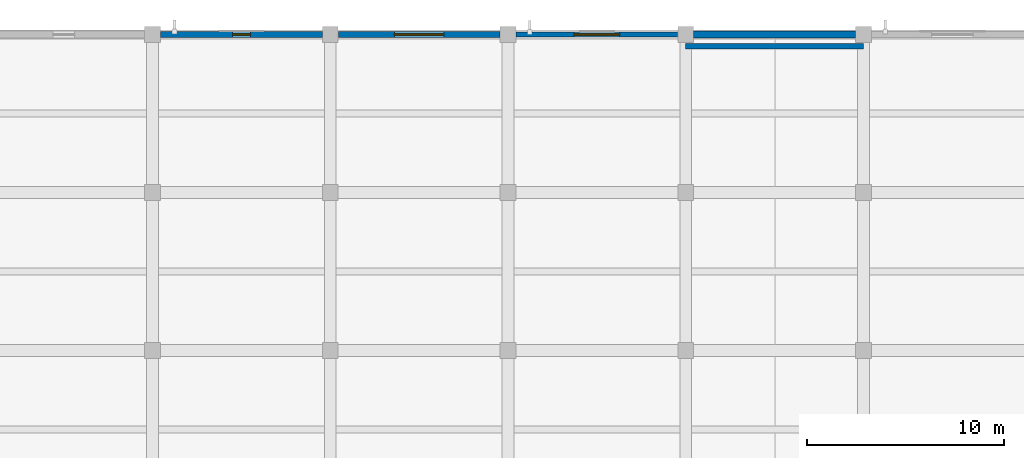
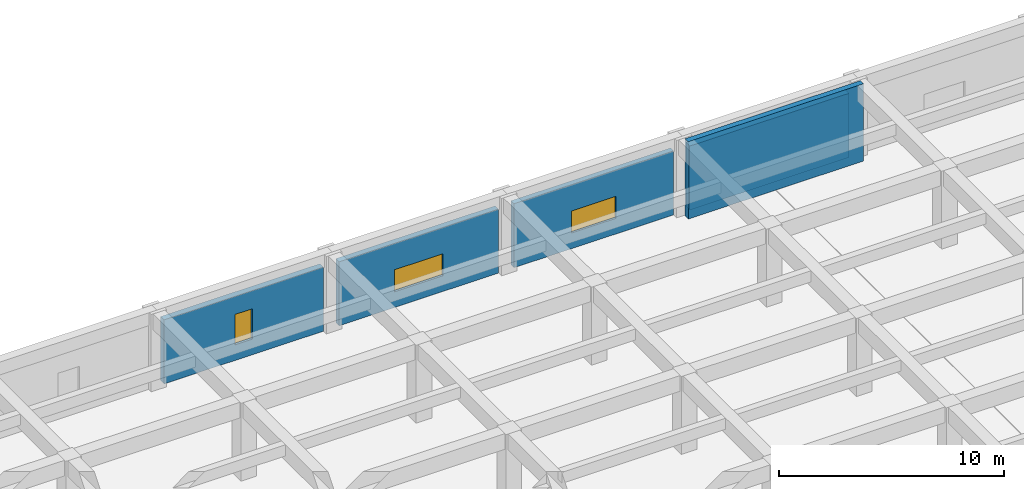
# One storey, part 16 of 32: 5 walls, 3 windows, 3 openings.
"""IFC4 building model written with IfcOpenShell, lengths in metres."""

from ifc_helpers import new_model, si_unit, direction, frame, frame_2d, origin, place, context, subcontext, project, spatial, rectangle, extrude, material, layer, layer_set, type_object, element, fill, save


model = new_model("IFC4")

# Units and contexts
model_context = context("Model", 3, precision=1e-05, world=origin(), true_north=direction((0.0, 1.0)))
body_context = subcontext(model_context, "Body", "Model", "MODEL_VIEW")
ifc_project = project(units=[si_unit("LENGTHUNIT", "METRE"), si_unit("AREAUNIT", "SQUARE_METRE"), si_unit("VOLUMEUNIT", "CUBIC_METRE"), si_unit("PLANEANGLEUNIT", "RADIAN"), si_unit("MASSUNIT", "GRAM", prefix="KILO")], contexts=[model_context])

# Site, building, storey
site_placement = place(None, origin())
site = spatial("IfcSite", under=ifc_project, at=site_placement, CompositionType="ELEMENT")
building_placement = place(site_placement, origin())
building = spatial("IfcBuilding", under=site, at=building_placement, Name="Zaverband Oceanarium and Marine Research Institute", CompositionType="ELEMENT")
storey_placement = place(building_placement, frame((0.0, 0.0, 13.5)))
storey = spatial("IfcBuildingStorey", under=building, at=storey_placement, Name="L03", CompositionType="ELEMENT", Elevation=13.5)

# Wall, opening, window
ifc_material_1 = material(Name="Concrete C40/50 precast", Category="concrete")
ifc_layer_1 = layer(ifc_material_1, 0.264892578125, Name="Concrete C40/50 precast")
ifc_layer_set_1 = layer_set([ifc_layer_1], Name="Concrete C40/50 precast")
wall_type_1 = type_object("IfcWallType", Name="EW-265", PredefinedType="STANDARD", material=ifc_layer_set_1)
wall_1_placement = place(storey_placement, frame((108.405029296875, 120.0, 0.0), z_axis=(0.0, 0.0, 1.0), x_axis=(1.0, 0.0, 0.0)))
wall_1 = element("IfcWall", 1, at=wall_1_placement, inside=storey, type_object=wall_type_1, Name="Exterior infill wall EW-265", PredefinedType="STANDARD", context=body_context, shape_type="SweptSolid", body=[
    extrude(rectangle(XDim=8.18994140625, YDim=0.264892578125, at=frame_2d((4.094970703125, 0.0))), origin(), (0.0, 0.0, 1.0), 3.47998046875),
])
opening_1_placement = place(wall_1_placement, frame((2.945068359375, 0.0, 0.85009765625)))
opening_1 = element("IfcOpeningElement", 2, at=opening_1_placement, cuts=wall_1, Name="Opening WN-2300x1200", PredefinedType="OPENING", context=body_context, shape_type="SweptSolid", body=[
    extrude(rectangle(XDim=2.300048828125, YDim=1.199951171875, at=frame_2d((1.14990234375, 0.60009765625))), frame((0.0, 0.14453125, 0.0), z_axis=(0.0, -1.0, 0.0), x_axis=(1.0, 0.0, 0.0)), (0.0, 0.0, 1.0), 0.288818359375),
])
ifc_material_2 = material(Name="Thermally broken anodized aluminium and solar-control glass", Category="aluminium")
window_type_1 = type_object("IfcWindowType", Name="WN-2300x1200", PartitioningType="SINGLE_PANEL", PredefinedType="WINDOW", material=ifc_material_2)
window_1_placement = place(opening_1_placement, origin())
window_1 = element("IfcWindow", 3, at=window_1_placement, inside=storey, type_object=window_type_1, Name="Fixed / casement exterior window WN-2300x1200", OverallHeight=1.199951171875, OverallWidth=2.300048828125, PartitioningType="SINGLE_PANEL", PredefinedType="WINDOW", context=body_context, shape_type="SweptSolid", body=[
    extrude(rectangle(XDim=2.300048828125, YDim=1.199951171875, at=frame_2d((1.14990234375, 0.60009765625))), frame((0.0, 0.030029296875, 0.0), z_axis=(0.0, -1.0, 0.0), x_axis=(1.0, 0.0, 0.0)), (0.0, 0.0, 1.0), 0.06005859375),
])
fill(opening_1, window_1)

ifc_layer_2 = layer(ifc_material_1, 0.2900390625, Name="Concrete C40/50 precast")
ifc_layer_set_2 = layer_set([ifc_layer_2], Name="Concrete C40/50 precast")
wall_type_2 = type_object("IfcWallType", Name="EW-290", PredefinedType="STANDARD", material=ifc_layer_set_2)
wall_2_placement = place(storey_placement, frame((99.405029296875, 120.0, 0.0), z_axis=(0.0, 0.0, 1.0), x_axis=(1.0, 0.0, 0.0)))
wall_2 = element("IfcWall", 4, at=wall_2_placement, inside=storey, type_object=wall_type_2, Name="Exterior infill wall EW-290", PredefinedType="STANDARD", context=body_context, shape_type="SweptSolid", body=[
    extrude(rectangle(XDim=8.18994140625, YDim=0.2900390625, at=frame_2d((4.094970703125, 0.0))), origin(), (0.0, 0.0, 1.0), 3.47998046875),
])
opening_2_placement = place(wall_2_placement, frame((2.844970703125, 0.0, 0.85009765625)))
opening_2 = element("IfcOpeningElement", 5, at=opening_2_placement, cuts=wall_2, Name="Opening WN-2500x1200", PredefinedType="OPENING", context=body_context, shape_type="SweptSolid", body=[
    extrude(rectangle(XDim=2.5, YDim=1.199951171875, at=frame_2d((1.25, 0.60009765625))), frame((0.0, 0.156982421875, 0.0), z_axis=(0.0, -1.0, 0.0), x_axis=(1.0, 0.0, 0.0)), (0.0, 0.0, 1.0), 0.31396484375),
])
window_type_2 = type_object("IfcWindowType", Name="WN-2500x1200", PartitioningType="SINGLE_PANEL", PredefinedType="WINDOW", material=ifc_material_2)
window_2_placement = place(opening_2_placement, origin())
window_2 = element("IfcWindow", 6, at=window_2_placement, inside=storey, type_object=window_type_2, Name="Fixed / casement exterior window WN-2500x1200", OverallHeight=1.199951171875, OverallWidth=2.5, PartitioningType="SINGLE_PANEL", PredefinedType="WINDOW", context=body_context, shape_type="SweptSolid", body=[
    extrude(rectangle(XDim=2.5, YDim=1.199951171875, at=frame_2d((1.25, 0.60009765625))), frame((0.0, 0.030029296875, 0.0), z_axis=(0.0, -1.0, 0.0), x_axis=(1.0, 0.0, 0.0)), (0.0, 0.0, 1.0), 0.06005859375),
])
fill(opening_2, window_2)

ifc_layer_3 = layer(ifc_material_1, 0.31005859375, Name="Concrete C40/50 precast")
ifc_layer_set_3 = layer_set([ifc_layer_3], Name="Concrete C40/50 precast")
wall_type_3 = type_object("IfcWallType", Name="EW-310", PredefinedType="STANDARD", material=ifc_layer_set_3)
wall_3_placement = place(storey_placement, frame((90.405029296875, 120.0, 0.0), z_axis=(0.0, 0.0, 1.0), x_axis=(1.0, 0.0, 0.0)))
wall_3 = element("IfcWall", 7, at=wall_3_placement, inside=storey, type_object=wall_type_3, Name="Exterior infill wall EW-310", PredefinedType="STANDARD", context=body_context, shape_type="SweptSolid", body=[
    extrude(rectangle(XDim=8.18994140625, YDim=0.31005859375, at=frame_2d((4.094970703125, 0.0))), origin(), (0.0, 0.0, 1.0), 3.47998046875),
])
opening_3_placement = place(wall_3_placement, frame((3.64501953125, 0.0, 0.85009765625)))
opening_3 = element("IfcOpeningElement", 8, at=opening_3_placement, cuts=wall_3, Name="Opening WN-900x1650", PredefinedType="OPENING", context=body_context, shape_type="SweptSolid", body=[
    extrude(rectangle(XDim=0.89990234375, YDim=1.64990234375, at=frame_2d((0.449951171875, 0.824951171875))), frame((0.0, 0.1669921875, 0.0), z_axis=(0.0, -1.0, 0.0), x_axis=(1.0, 0.0, 0.0)), (0.0, 0.0, 1.0), 0.333984375),
])
window_type_3 = type_object("IfcWindowType", Name="WN-900x1650", PartitioningType="SINGLE_PANEL", PredefinedType="WINDOW", material=ifc_material_2)
window_3_placement = place(opening_3_placement, origin())
window_3 = element("IfcWindow", 9, at=window_3_placement, inside=storey, type_object=window_type_3, Name="Fixed / casement exterior window WN-900x1650", OverallHeight=1.64990234375, OverallWidth=0.89990234375, PartitioningType="SINGLE_PANEL", PredefinedType="WINDOW", context=body_context, shape_type="SweptSolid", body=[
    extrude(rectangle(XDim=0.89990234375, YDim=1.64990234375, at=frame_2d((0.449951171875, 0.824951171875))), frame((0.0, 0.030029296875, 0.0), z_axis=(0.0, -1.0, 0.0), x_axis=(1.0, 0.0, 0.0)), (0.0, 0.0, 1.0), 0.06005859375),
])
fill(opening_3, window_3)

# Walls
ifc_layer_4 = layer(ifc_material_1, 0.340087890625, Name="Concrete C40/50 precast")
ifc_layer_set_4 = layer_set([ifc_layer_4], Name="Concrete C40/50 precast")
wall_type_4 = type_object("IfcWallType", Name="EW-340", PredefinedType="STANDARD", material=ifc_layer_set_4)
wall_4_placement = place(storey_placement, frame((117.405029296875, 120.0, 0.0), z_axis=(0.0, 0.0, 1.0), x_axis=(1.0, 0.0, 0.0)))
element("IfcWall", 10, at=wall_4_placement, inside=storey, type_object=wall_type_4, Name="Exterior infill wall EW-340", PredefinedType="STANDARD", context=body_context, shape_type="SweptSolid", body=[
    extrude(rectangle(XDim=8.18994140625, YDim=0.340087890625, at=frame_2d((4.094970703125, 0.0))), origin(), (0.0, 0.0, 1.0), 3.47998046875),
])
ifc_material_3 = material(Name="Concrete C40/50", Category="concrete")
ifc_layer_5 = layer(ifc_material_3, 0.280029296875, Name="Concrete C40/50")
ifc_layer_set_5 = layer_set([ifc_layer_5], Name="Concrete C40/50")
wall_type_5 = type_object("IfcWallType", Name="SCW-03", PredefinedType="SOLIDWALL", material=ifc_layer_set_5)
wall_5_placement = place(storey_placement, frame((117.0, 119.39990234375, 0.0), z_axis=(0.0, 0.0, 1.0), x_axis=(1.0, 0.0, 0.0)))
element("IfcWall", 11, at=wall_5_placement, inside=storey, type_object=wall_type_5, Name="Structural concrete wall SCW-03", PredefinedType="SOLIDWALL", context=body_context, shape_type="SweptSolid", body=[
    extrude(rectangle(XDim=9.0, YDim=0.280029296875, at=frame_2d((4.5, 0.0))), origin(), (0.0, 0.0, 1.0), 4.199951171875),
])

save(model, "model.ifc")
